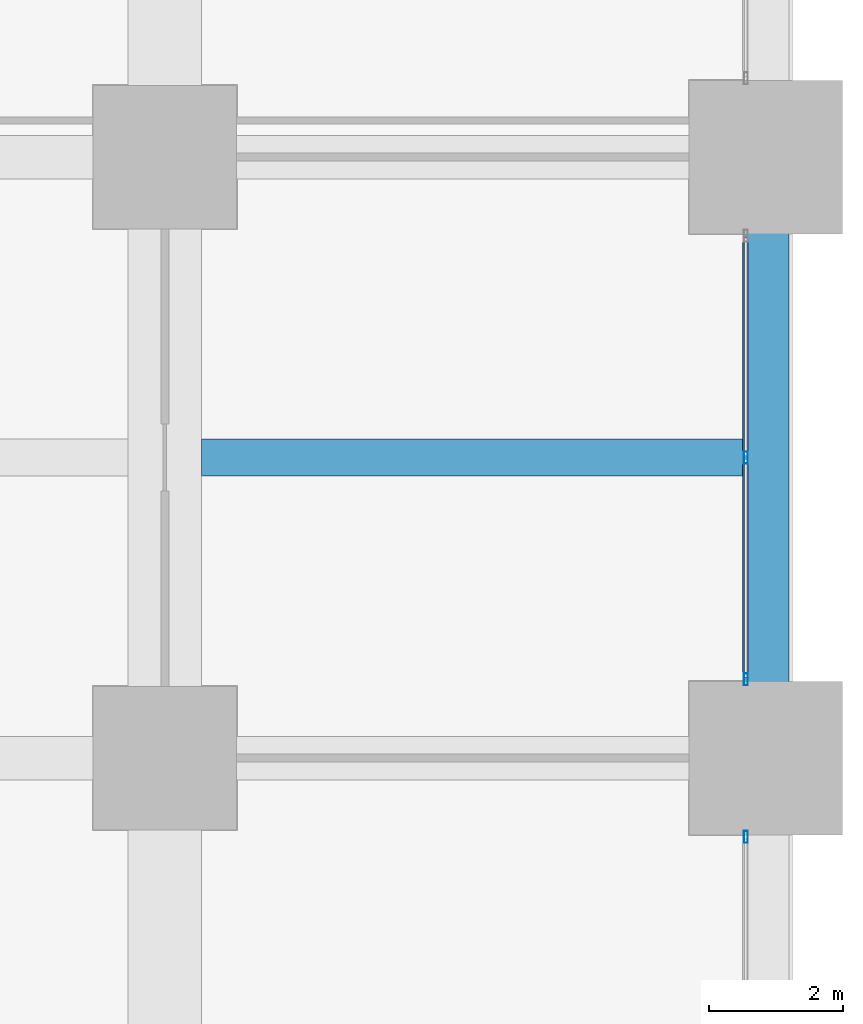
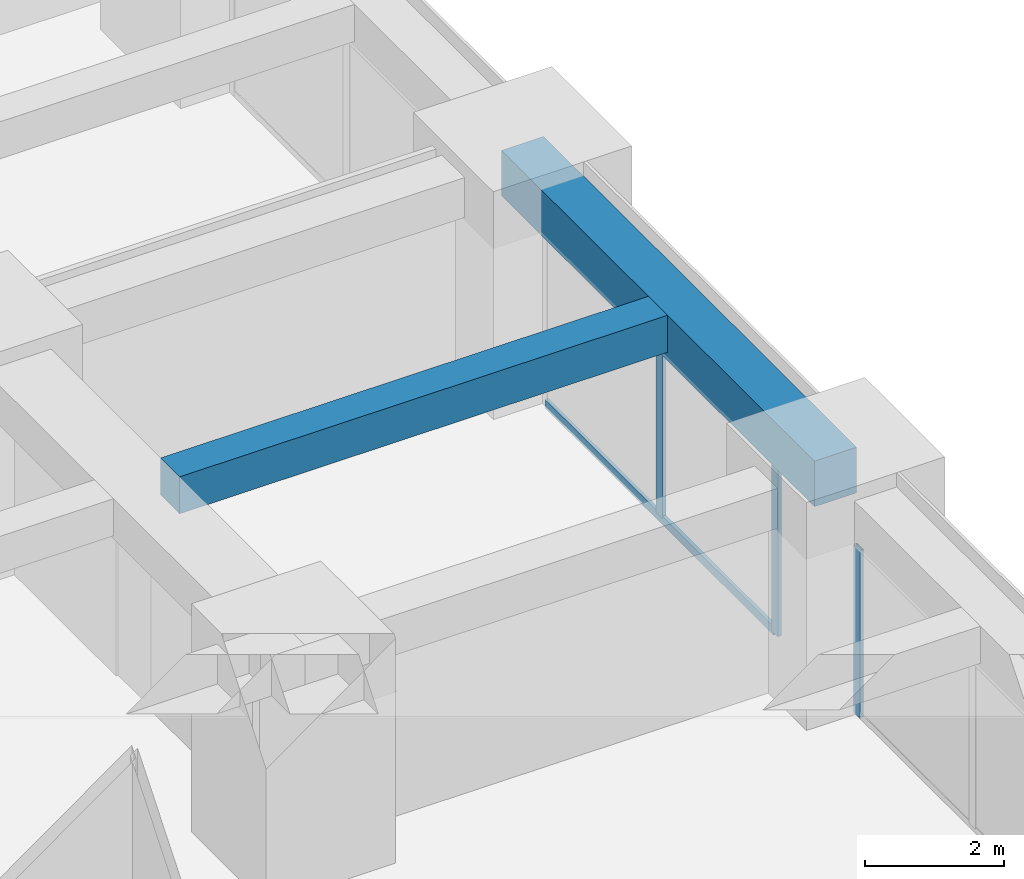
# One storey, part 22 of 44: 4 members, 2 beams, 2 elements without a shape of their own.
"""IFC4 building model written with IfcOpenShell, lengths in metres."""

import ifcopenshell
import ifcopenshell.guid

model = None  # the IFC model being written
_history = None  # IfcOwnerHistory: only IFC2X3 demands one
_inside = {}  # id of a spatial element -> (the spatial element, [elements in it])
_under = {}  # id of a project, library or spatial element -> (it, [spatial elements below it])
_declared = {}  # id of a project -> (the project, [libraries it declares])
_typed = {}  # id of a type object -> (the type object, [elements of that type])
_made_of = {}  # id of a material, layer set ... -> (it, [elements and type objects made of it])


def new_model(schema):
    """Start an empty IFC model of exactly this schema.

    Asked for "IFC4X3", IfcOpenShell would pick the latest addendum, in which some entities
    have other attributes; the version numbers below select the first issue.
    IFC2X3 requires an IfcOwnerHistory on every rooted entity: one is made here for all.
    """
    global model, _history
    if schema == "IFC4X3":
        model = ifcopenshell.file(schema_version=(4, 3, 0, 0))
    else:
        model = ifcopenshell.file(schema=schema)
    _inside.clear()
    _under.clear()
    _declared.clear()
    _typed.clear()
    _made_of.clear()
    _history = None
    if model.schema == "IFC2X3":
        org = make("IfcOrganization", Name="unknown")
        user = make(
            "IfcPersonAndOrganization",
            ThePerson=make("IfcPerson", FamilyName="unknown"),
            TheOrganization=org,
        )
        app = make(
            "IfcApplication",
            ApplicationDeveloper=org,
            Version="unknown",
            ApplicationFullName="unknown",
            ApplicationIdentifier="unknown",
        )
        _history = make(
            "IfcOwnerHistory",
            OwningUser=user,
            OwningApplication=app,
            ChangeAction="ADDED",
            CreationDate=0,
        )
    return model


def make(cls, **values):
    """One entity of the class cls with the attributes given. An attribute that is None is left unset."""
    return model.create_entity(
        cls, **{name: value for name, value in values.items() if value is not None}
    )


def rooted(cls, **values):
    """An entity with a GlobalId (a new one), such as an element, a storey or a relation."""
    return make(cls, GlobalId=ifcopenshell.guid.new(), OwnerHistory=_history, **values)


def si_unit(unit_type, name, prefix=None):
    """IfcSIUnit, for example si_unit("LENGTHUNIT", "METRE", prefix="MILLI")."""
    return make("IfcSIUnit", UnitType=unit_type, Prefix=prefix, Name=name)


def assignment(units):
    """IfcUnitAssignment: the units of a project."""
    return None if units is None else make("IfcUnitAssignment", Units=units)


def point(xyz):
    """IfcCartesianPoint."""
    return None if xyz is None else make("IfcCartesianPoint", Coordinates=xyz)


def direction(xyz):
    """IfcDirection."""
    return None if xyz is None else make("IfcDirection", DirectionRatios=xyz)


def frame(location, z_axis=None, x_axis=None):
    """IfcAxis2Placement3D, a coordinate frame: its origin and axes. An axis left out is left unset."""
    return make(
        "IfcAxis2Placement3D",
        Location=point(location),
        Axis=direction(z_axis),
        RefDirection=direction(x_axis),
    )


def frame_2d(location, x_axis=None):
    """IfcAxis2Placement2D, a coordinate frame in the plane: its origin and x axis."""
    return make(
        "IfcAxis2Placement2D", Location=point(location), RefDirection=direction(x_axis)
    )


def origin():
    """The frame at (0, 0, 0) with its axes left unset."""
    return frame((0.0, 0.0, 0.0))


def origin_2d():
    """The frame at (0, 0) in the plane with its x axis left unset."""
    return frame_2d((0.0, 0.0))


def place(relative_to, where):
    """IfcLocalPlacement: puts the frame where relative to a parent placement (None: the world)."""
    return make(
        "IfcLocalPlacement", PlacementRelTo=relative_to, RelativePlacement=where
    )


def context(
    kind, dimensions, precision=None, world=None, true_north=None, identifier=None
):
    """IfcGeometricRepresentationContext, for example the 3D "Model" context."""
    return make(
        "IfcGeometricRepresentationContext",
        ContextIdentifier=identifier,
        ContextType=kind,
        CoordinateSpaceDimension=dimensions,
        Precision=precision,
        WorldCoordinateSystem=world,
        TrueNorth=true_north,
    )


def subcontext(parent, identifier, kind, view, scale=None):
    """IfcGeometricRepresentationSubContext, for example "Body" below "Model"."""
    return make(
        "IfcGeometricRepresentationSubContext",
        ContextIdentifier=identifier,
        ContextType=kind,
        ParentContext=parent,
        TargetScale=scale,
        TargetView=view,
    )


def project(units=None, contexts=None):
    """IfcProject with its units and contexts."""
    return rooted(
        "IfcProject",
        Name="project",
        RepresentationContexts=contexts,
        UnitsInContext=assignment(units),
    )


def spatial(cls, under=None, at=None, **own):
    """A site, building, storey or space (cls), placed at a placement, below another one or the project."""
    s = rooted(cls, ObjectPlacement=at, **own)
    if under is not None:
        _under.setdefault(under.id(), (under, []))[1].append(s)
    return s


def profile(cls, at=None, kind="AREA", **sizes):
    """A parametric profile (cls). Its sizes go by their IFC names, for example OverallWidth=200.0."""
    return make(cls, ProfileType=kind, Position=at, **sizes)


def rectangle(**sizes):
    """IfcRectangleProfileDef."""
    return profile("IfcRectangleProfileDef", **sizes)


def hollow_rectangle(**sizes):
    """IfcRectangleHollowProfileDef."""
    return profile("IfcRectangleHollowProfileDef", **sizes)


def extrude(swept, where, along, depth):
    """IfcExtrudedAreaSolid: the profile swept, set in the frame where, extruded along a direction by depth."""
    return make(
        "IfcExtrudedAreaSolid",
        SweptArea=swept,
        Position=where,
        ExtrudedDirection=direction(along),
        Depth=depth,
    )


def shape(context_of_items, identifier, shape_type, items):
    """IfcShapeRepresentation: the items that make up one representation, for example the "Body"."""
    return make(
        "IfcShapeRepresentation",
        ContextOfItems=context_of_items,
        RepresentationIdentifier=identifier,
        RepresentationType=shape_type,
        Items=items,
    )


def material(Name=None, Category=None):
    """IfcMaterial."""
    return make("IfcMaterial", Name=Name, Category=Category)


def material_profile(
    of_material, cross_section, Name=None, Category=None, Priority=None
):
    """IfcMaterialProfile: a cross section and its material."""
    return make(
        "IfcMaterialProfile",
        Name=Name,
        Material=of_material,
        Profile=cross_section,
        Priority=Priority,
        Category=Category,
    )


def profile_set(profiles, Name=None, composite=None):
    """IfcMaterialProfileSet."""
    return make(
        "IfcMaterialProfileSet",
        Name=Name,
        MaterialProfiles=profiles,
        CompositeProfile=composite,
    )


def made_of(thing, what):
    """Note that an element or type object is made of a material, layer set ...; save() writes the relation."""
    if what is not None:
        _made_of.setdefault(what.id(), (what, []))[1].append(thing)
    return thing


def type_object(cls, material=None, **own):
    """A type object (cls), such as IfcWallType, which elements share."""
    return made_of(rooted(cls, **own), material)


def element(
    cls,
    number,
    at=None,
    inside=None,
    cuts=None,
    type_object=None,
    material=None,
    context=None,
    identifier="Body",
    shape_type=None,
    held_by="IfcProductDefinitionShape",
    body=None,
    shapes=None,
    **own,
):
    """One element of the class cls, such as IfcWall. Its Tag is "e" and its number.

    at: its placement. inside: the storey or other place that contains it. cuts: it is an
    opening in that element (IfcRelVoidsElement). A single representation is given by context,
    identifier, shape_type and body (its items); several are given by shapes. held_by: the class
    of the entity that holds the representations. save() writes the other relations.
    """
    e = rooted(cls, Tag="e%d" % number, ObjectPlacement=at, **own)
    if body is not None:
        shapes = [shape(context, identifier, shape_type, body)]
    if shapes is not None:
        e.Representation = make(held_by, Representations=shapes)
    if inside is not None:
        _inside.setdefault(inside.id(), (inside, []))[1].append(e)
    if cuts is not None:
        rooted(
            "IfcRelVoidsElement", RelatingBuildingElement=cuts, RelatedOpeningElement=e
        )
    if type_object is not None:
        _typed.setdefault(type_object.id(), (type_object, []))[1].append(e)
    return made_of(e, material)


def aggregate(whole, parts):
    """IfcRelAggregates: a whole, such as a stair, and the parts it consists of."""
    return rooted("IfcRelAggregates", RelatingObject=whole, RelatedObjects=parts)


def save(model, path):
    """Write the relations noted so far, then the file.

    IfcRelAggregates (storeys below a building ...), IfcRelContainedInSpatialStructure (elements
    in a storey), IfcRelDefinesByType, IfcRelAssociatesMaterial and IfcRelDeclares: one each for
    every whole, place, type object, material and project.
    """
    for whole, parts in _under.values():
        aggregate(whole, parts)
    for where, things in _inside.values():
        rooted(
            "IfcRelContainedInSpatialStructure",
            RelatedElements=things,
            RelatingStructure=where,
        )
    for kind, things in _typed.values():
        rooted("IfcRelDefinesByType", RelatedObjects=things, RelatingType=kind)
    for what, things in _made_of.values():
        rooted("IfcRelAssociatesMaterial", RelatedObjects=things, RelatingMaterial=what)
    for by, libraries in _declared.values():
        rooted("IfcRelDeclares", RelatingContext=by, RelatedDefinitions=libraries)
    model.write(path)


model = new_model("IFC4")

# Units and contexts
model_context = context("Model", 3, precision=1e-05, world=origin(), true_north=direction((0.0, 1.0)))
body_context = subcontext(model_context, "Body", "Model", "MODEL_VIEW")
ifc_project = project(units=[si_unit("LENGTHUNIT", "METRE"), si_unit("AREAUNIT", "SQUARE_METRE"), si_unit("VOLUMEUNIT", "CUBIC_METRE"), si_unit("PLANEANGLEUNIT", "RADIAN"), si_unit("MASSUNIT", "GRAM", prefix="KILO")], contexts=[model_context])

# Site, building, storey
site_placement = place(None, origin())
site = spatial("IfcSite", under=ifc_project, at=site_placement, CompositionType="ELEMENT")
building_placement = place(site_placement, origin())
building = spatial("IfcBuilding", under=site, at=building_placement, Name="Zorevar Civic Tower", CompositionType="ELEMENT")
storey_placement = place(building_placement, frame((0.0, 0.0, 59.800048828125)))
storey = spatial("IfcBuildingStorey", under=building, at=storey_placement, Name="L14", CompositionType="ELEMENT", Elevation=59.800048828125)

# Beam
ifc_material_1 = material(Name="Concrete C50/60", Category="concrete")
ifc_material_profile_1 = material_profile(ifc_material_1, rectangle(XDim=0.550048828125, YDim=0.64990234375, at=origin_2d()), Name="RC 550x650")
ifc_profile_set_1 = profile_set([ifc_material_profile_1], Name="Concrete C50/60")
beam_type_1 = type_object("IfcBeamType", Name="Beam RC 550x650", PredefinedType="BEAM", material=ifc_profile_set_1)
beam_1_placement = place(storey_placement, frame((54.550048828125, 31.5, 3.425048828125), z_axis=(1.0, 0.0, 0.0), x_axis=(0.0, 1.0, 0.0)))
element("IfcBeam", 1, at=beam_1_placement, inside=storey, type_object=beam_type_1, Name="Secondary beam L15", PredefinedType="BEAM", context=body_context, shape_type="SweptSolid", body=[
    extrude(rectangle(XDim=0.550048828125, YDim=0.64990234375, at=origin_2d()), origin(), (0.0, 0.0, 1.0), 8.099853515625),
])

# Curtain wall, member
ifc_material_2 = material(Name="Dark grey solar-control glass in black aluminium frame", Category="aluminium")
curtain_wall_type = type_object("IfcCurtainWallType", Name="Curtain wall CW2 low zone", PredefinedType="NOTDEFINED", material=ifc_material_2)
curtain_wall_1_placement = place(storey_placement, origin())
curtain_wall_1 = element("IfcCurtainWall", 2, at=curtain_wall_1_placement, inside=storey, type_object=curtain_wall_type, Name="CW2 L14", PredefinedType="NOTDEFINED")
ifc_material_3 = material(Name="Aluminium, black anodised", Category="aluminium")
ifc_material_profile_2 = material_profile(ifc_material_3, hollow_rectangle(XDim=0.06005859375, YDim=0.179931640625, WallThickness=0.00390625, at=origin_2d()), Name="AL 180x60x4")
ifc_profile_set_2 = profile_set([ifc_material_profile_2], Name="Aluminium, black anodised")
member_type_1 = type_object("IfcMemberType", Name="CW2 mullion AL 180x60x4", PredefinedType="MULLION", material=ifc_profile_set_2)
member_1_placement = place(storey_placement, frame((62.699951171875, 25.820068359375, 0.0), z_axis=(0.0, 0.0, 1.0), x_axis=(-1.0, 0.0, 0.0)))
member_1 = element("IfcMember", 3, at=member_1_placement, type_object=member_type_1, Name="CW2 mullion 3", PredefinedType="MULLION", context=body_context, shape_type="SweptSolid", body=[
    extrude(hollow_rectangle(XDim=0.06005859375, YDim=0.179931640625, WallThickness=0.00390625, at=origin_2d()), origin(), (0.0, 0.0, 1.0), 2.949951171875),
])
aggregate(curtain_wall_1, [member_1])

# Curtain wall, members
curtain_wall_2_placement = place(storey_placement, origin())
curtain_wall_2 = element("IfcCurtainWall", 4, at=curtain_wall_2_placement, inside=storey, type_object=curtain_wall_type, Name="CW2 L14", PredefinedType="NOTDEFINED")
member_2_placement = place(storey_placement, frame((62.699951171875, 28.179931640625, 0.0), z_axis=(0.0, 0.0, 1.0), x_axis=(-1.0, 0.0, 0.0)))
member_2 = element("IfcMember", 5, at=member_2_placement, type_object=member_type_1, Name="CW2 mullion 1", PredefinedType="MULLION", context=body_context, shape_type="SweptSolid", body=[
    extrude(hollow_rectangle(XDim=0.06005859375, YDim=0.179931640625, WallThickness=0.00390625, at=origin_2d()), origin(), (0.0, 0.0, 1.0), 2.949951171875),
])
member_3_placement = place(storey_placement, frame((62.699951171875, 31.5, 0.06005859375), z_axis=(0.0, 0.0, 1.0), x_axis=(-1.0, 0.0, 0.0)))
member_3 = element("IfcMember", 6, at=member_3_placement, type_object=member_type_1, Name="CW2 mullion 2", PredefinedType="MULLION", context=body_context, shape_type="SweptSolid", body=[
    extrude(hollow_rectangle(XDim=0.06005859375, YDim=0.179931640625, WallThickness=0.00390625, at=origin_2d()), origin(), (0.0, 0.0, 1.0), 2.889892578125),
])
ifc_material_4 = material(Name="Aluminium, black anodised", Category="aluminium")
ifc_material_profile_3 = material_profile(ifc_material_4, hollow_rectangle(XDim=0.06005859375, YDim=0.14990234375, WallThickness=0.00390625, at=origin_2d()), Name="AL 150x60x4")
ifc_profile_set_3 = profile_set([ifc_material_profile_3], Name="Aluminium, black anodised")
member_type_2 = type_object("IfcMemberType", Name="CW2 transom AL 150x60x4", PredefinedType="USERDEFINED", material=ifc_profile_set_3)
member_4_placement = place(storey_placement, frame((62.699951171875, 28.2099609375, 0.030029296875), z_axis=(0.0, 1.0, 0.0), x_axis=(-1.0, 0.0, 0.0)))
member_4 = element("IfcMember", 7, at=member_4_placement, type_object=member_type_2, Name="CW2 sill transom", ObjectType="TRANSOM", PredefinedType="USERDEFINED", context=body_context, shape_type="SweptSolid", body=[
    extrude(hollow_rectangle(XDim=0.06005859375, YDim=0.14990234375, WallThickness=0.00390625, at=origin_2d()), origin(), (0.0, 0.0, 1.0), 6.580078125),
])
aggregate(curtain_wall_2, [member_2, member_3, member_4])

# Beam
ifc_material_5 = material(Name="Concrete C50/60", Category="concrete")
ifc_material_profile_4 = material_profile(ifc_material_5, rectangle(XDim=0.699951171875, YDim=0.800048828125, at=origin_2d()), Name="RC 700x800")
ifc_profile_set_4 = profile_set([ifc_material_profile_4], Name="Concrete C50/60")
beam_type_2 = type_object("IfcBeamType", Name="Edge beam RC 700x800", PredefinedType="SPANDREL", material=ifc_profile_set_4)
beam_2_placement = place(storey_placement, frame((63.0, 27.0, 3.349853515625), z_axis=(0.0, 1.0, 0.0), x_axis=(-1.0, 0.0, 0.0)))
element("IfcBeam", 8, at=beam_2_placement, inside=storey, type_object=beam_type_2, Name="Edge beam L15", PredefinedType="SPANDREL", context=body_context, shape_type="SweptSolid", body=[
    extrude(rectangle(XDim=0.699951171875, YDim=0.800048828125, at=origin_2d()), origin(), (0.0, 0.0, 1.0), 9.0),
])

save(model, "model.ifc")
